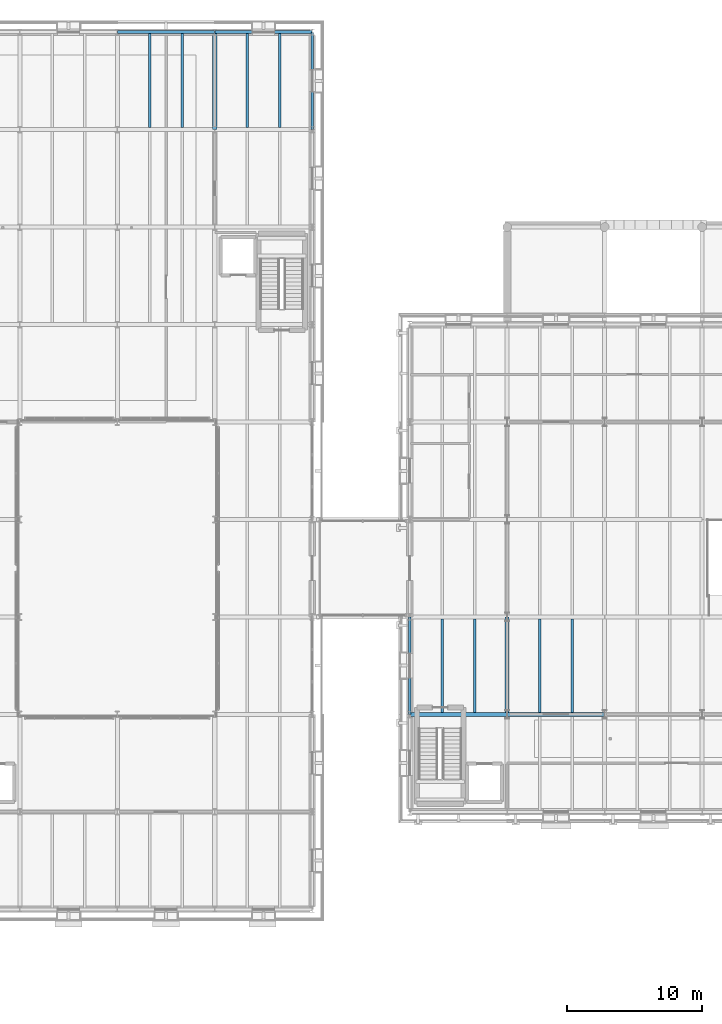
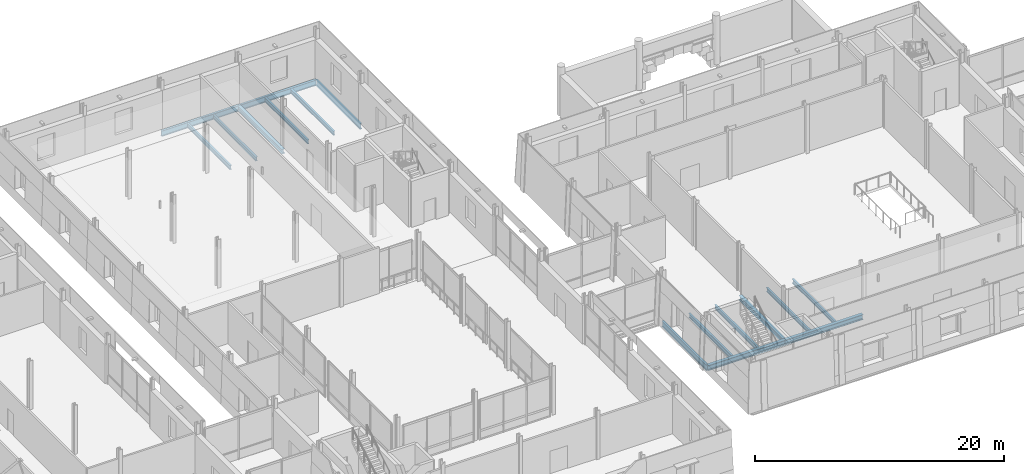
# One storey, part 33 of 121: 16 beams.
"""IFC4 building model written with IfcOpenShell, lengths in metres."""

from ifc_helpers import new_model, si_unit, direction, frame, origin, origin_2d, place, context, subcontext, project, spatial, i_section, extrude, material, material_profile, profile_set, type_object, element, save


model = new_model("IFC4")

# Units and contexts
model_context = context("Model", 3, precision=1e-05, world=origin(), true_north=direction((0.0, 1.0)))
body_context = subcontext(model_context, "Body", "Model", "MODEL_VIEW")
ifc_project = project(units=[si_unit("LENGTHUNIT", "METRE"), si_unit("AREAUNIT", "SQUARE_METRE"), si_unit("VOLUMEUNIT", "CUBIC_METRE"), si_unit("PLANEANGLEUNIT", "RADIAN"), si_unit("MASSUNIT", "GRAM", prefix="KILO")], contexts=[model_context])

# Site, building, storey
site_placement = place(None, origin())
site = spatial("IfcSite", under=ifc_project, at=site_placement, CompositionType="ELEMENT")
building_placement = place(site_placement, origin())
building = spatial("IfcBuilding", under=site, at=building_placement, Name="Narikvali Park Central Library", CompositionType="ELEMENT")
storey_placement = place(building_placement, frame((0.0, 0.0, 5.39990234375)))
storey = spatial("IfcBuildingStorey", under=building, at=storey_placement, Name="L01", CompositionType="ELEMENT", Elevation=5.39990234375)

# Beams
ifc_material = material(Name="Steel S355", Category="steel")
ifc_material_profile_1 = material_profile(ifc_material, i_section(OverallWidth=0.181884765625, OverallDepth=0.404052734375, WebThickness=0.009765625, FlangeThickness=0.015380859375, FilletRadius=0.02099609375, at=origin_2d()), Name="IPEO 400")
ifc_profile_set_1 = profile_set([ifc_material_profile_1], Name="Steel S355")
beam_type_1 = type_object("IfcBeamType", Name="Gallery Floor Joist IPEO400", PredefinedType="JOIST", material=ifc_profile_set_1)
for number, where, z_axis, x_axis, name in (
    (1, (67.199951171875, 64.949951171875, -0.48193359375), (0.0, 1.0, 0.0), (-1.0, 0.0, 0.0), "V1 L01 Composite Joist 1"),
    (2, (69.60009765625, 64.949951171875, -0.48193359375), (0.0, 1.0, 0.0), (-1.0, 0.0, 0.0), "V1 L01 Composite Joist 2"),
    (3, (74.39990234375, 64.949951171875, -0.48193359375), (0.0, 1.0, 0.0), (-1.0, 0.0, 0.0), "V1 L01 Composite Joist 1"),
    (4, (76.800048828125, 64.949951171875, -0.48193359375), (0.0, 1.0, 0.0), (-1.0, 0.0, 0.0), "V1 L01 Composite Joist 2"),
):
    element("IfcBeam", number, at=place(storey_placement, frame(where, z_axis=z_axis, x_axis=x_axis)), inside=storey, type_object=beam_type_1, Name=name, PredefinedType="JOIST", context=body_context, shape_type="SweptSolid", body=[
        extrude(i_section(OverallWidth=0.181884765625, OverallDepth=0.404052734375, WebThickness=0.009765625, FlangeThickness=0.015380859375, FilletRadius=0.02099609375, at=origin_2d()), origin(), (0.0, 0.0, 1.0), 6.900146484375),
    ])
for number, where, z_axis, x_axis, name in (
    (5, (45.60009765625, 108.14990234375, -0.48193359375), (0.0, 1.0, 0.0), (-1.0, 0.0, 0.0), "V4 L01 Composite Joist 1"),
    (6, (48.0, 108.14990234375, -0.48193359375), (0.0, 1.0, 0.0), (-1.0, 0.0, 0.0), "V4 L01 Composite Joist 2"),
    (7, (52.800048828125, 108.14990234375, -0.48193359375), (0.0, 1.0, 0.0), (-1.0, 0.0, 0.0), "V4 L01 Composite Joist 1"),
    (8, (55.199951171875, 108.14990234375, -0.48193359375), (0.0, 1.0, 0.0), (-1.0, 0.0, 0.0), "V4 L01 Composite Joist 2"),
):
    element("IfcBeam", number, at=place(storey_placement, frame(where, z_axis=z_axis, x_axis=x_axis)), inside=storey, type_object=beam_type_1, Name=name, PredefinedType="JOIST", context=body_context, shape_type="SweptSolid", body=[
        extrude(i_section(OverallWidth=0.181884765625, OverallDepth=0.404052734375, WebThickness=0.009765625, FlangeThickness=0.015380859375, FilletRadius=0.02099609375, at=origin_2d()), origin(), (0.0, 0.0, 1.0), 6.945068359375),
    ])
ifc_material_profile_2 = material_profile(ifc_material, i_section(OverallWidth=0.2099609375, OverallDepth=0.550048828125, WebThickness=0.010986328125, FlangeThickness=0.01708984375, FilletRadius=0.02392578125, at=origin_2d()), Name="IPE 550")
ifc_profile_set_2 = profile_set([ifc_material_profile_2], Name="Steel S355")
beam_type_2 = type_object("IfcBeamType", Name="Perimeter Spandrel IPE550", PredefinedType="SPANDREL", material=ifc_profile_set_2)
beam_1_placement = place(storey_placement, frame((64.800048828125, 64.80810546875, -0.554931640625), z_axis=(0.0, 1.0, 0.0), x_axis=(-1.0, 0.0, 0.0)))
element("IfcBeam", 9, at=beam_1_placement, inside=storey, type_object=beam_type_2, Name="V1 L01 Girder Y", PredefinedType="SPANDREL", context=body_context, shape_type="SweptSolid", body=[
    extrude(i_section(OverallWidth=0.2099609375, OverallDepth=0.550048828125, WebThickness=0.010986328125, FlangeThickness=0.01708984375, FilletRadius=0.02392578125, at=origin_2d()), origin(), (0.0, 0.0, 1.0), 7.183837890625),
])
for number, where, z_axis, x_axis, name in (
    (10, (43.2080078125, 115.199951171875, -0.554931640625), (1.0, 0.0, 0.0), (0.0, 1.0, 0.0), "V4 L01 Girder X"),
    (11, (50.407958984375, 115.199951171875, -0.554931640625), (1.0, 0.0, 0.0), (0.0, 1.0, 0.0), "V4 L01 Girder X"),
):
    element("IfcBeam", number, at=place(storey_placement, frame(where, z_axis=z_axis, x_axis=x_axis)), inside=storey, type_object=beam_type_2, Name=name, PredefinedType="SPANDREL", context=body_context, shape_type="SweptSolid", body=[
        extrude(i_section(OverallWidth=0.2099609375, OverallDepth=0.550048828125, WebThickness=0.010986328125, FlangeThickness=0.01708984375, FilletRadius=0.02392578125, at=origin_2d()), origin(), (0.0, 0.0, 1.0), 7.18408203125),
    ])
beam_2_placement = place(storey_placement, frame((57.60009765625, 108.008056640625, -0.554931640625), z_axis=(0.0, 1.0, 0.0), x_axis=(-1.0, 0.0, 0.0)))
element("IfcBeam", 12, at=beam_2_placement, inside=storey, type_object=beam_type_2, Name="V4 L01 Girder Y", PredefinedType="SPANDREL", context=body_context, shape_type="SweptSolid", body=[
    extrude(i_section(OverallWidth=0.2099609375, OverallDepth=0.550048828125, WebThickness=0.010986328125, FlangeThickness=0.01708984375, FilletRadius=0.02392578125, at=origin_2d()), origin(), (0.0, 0.0, 1.0), 7.183837890625),
])
ifc_material_profile_3 = material_profile(ifc_material, i_section(OverallWidth=0.300048828125, OverallDepth=0.43994140625, WebThickness=0.011474609375, FlangeThickness=0.02099609375, FilletRadius=0.027099609375, at=origin_2d()), Name="HEA 450")
ifc_profile_set_3 = profile_set([ifc_material_profile_3], Name="Steel S355")
beam_type_3 = type_object("IfcBeamType", Name="Primary Girder HEA450", PredefinedType="BEAM", material=ifc_profile_set_3)
for number, where, z_axis, x_axis, name in (
    (13, (72.0, 64.80810546875, -0.5), (0.0, 1.0, 0.0), (-1.0, 0.0, 0.0), "V1 L01 Girder Y"),
    (14, (50.39990234375, 108.008056640625, -0.5), (0.0, 1.0, 0.0), (-1.0, 0.0, 0.0), "V4 L01 Girder Y"),
):
    element("IfcBeam", number, at=place(storey_placement, frame(where, z_axis=z_axis, x_axis=x_axis)), inside=storey, type_object=beam_type_3, Name=name, PredefinedType="BEAM", context=body_context, shape_type="SweptSolid", body=[
        extrude(i_section(OverallWidth=0.300048828125, OverallDepth=0.43994140625, WebThickness=0.011474609375, FlangeThickness=0.02099609375, FilletRadius=0.027099609375, at=origin_2d()), origin(), (0.0, 0.0, 1.0), 7.183837890625),
    ])
ifc_material_profile_4 = material_profile(ifc_material, i_section(OverallWidth=0.300048828125, OverallDepth=0.5, WebThickness=0.014404296875, FlangeThickness=0.028076171875, FilletRadius=0.027099609375, at=origin_2d()), Name="HEB 500")
ifc_profile_set_4 = profile_set([ifc_material_profile_4], Name="Steel S355")
beam_type_4 = type_object("IfcBeamType", Name="Reading Void Girder HEB500", PredefinedType="BEAM", material=ifc_profile_set_4)
for number, where, z_axis, x_axis, name in (
    (15, (64.80810546875, 64.800048828125, -0.52978515625), (1.0, 0.0, 0.0), (0.0, 1.0, 0.0), "V1 L01 Girder X"),
    (16, (72.008056640625, 64.800048828125, -0.52978515625), (1.0, 0.0, 0.0), (0.0, 1.0, 0.0), "V1 L01 Girder X"),
):
    element("IfcBeam", number, at=place(storey_placement, frame(where, z_axis=z_axis, x_axis=x_axis)), inside=storey, type_object=beam_type_4, Name=name, PredefinedType="BEAM", context=body_context, shape_type="SweptSolid", body=[
        extrude(i_section(OverallWidth=0.300048828125, OverallDepth=0.5, WebThickness=0.014404296875, FlangeThickness=0.028076171875, FilletRadius=0.027099609375, at=origin_2d()), origin(), (0.0, 0.0, 1.0), 7.183837890625),
    ])

save(model, "model.ifc")
